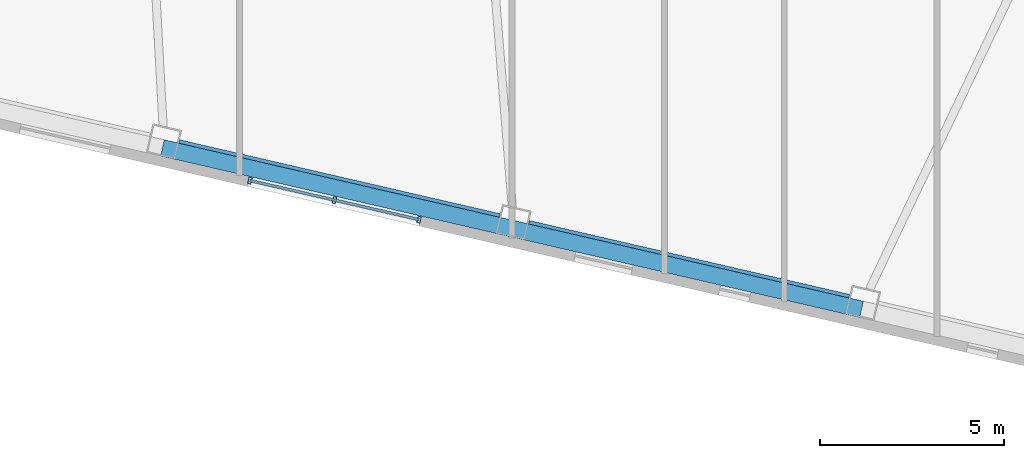
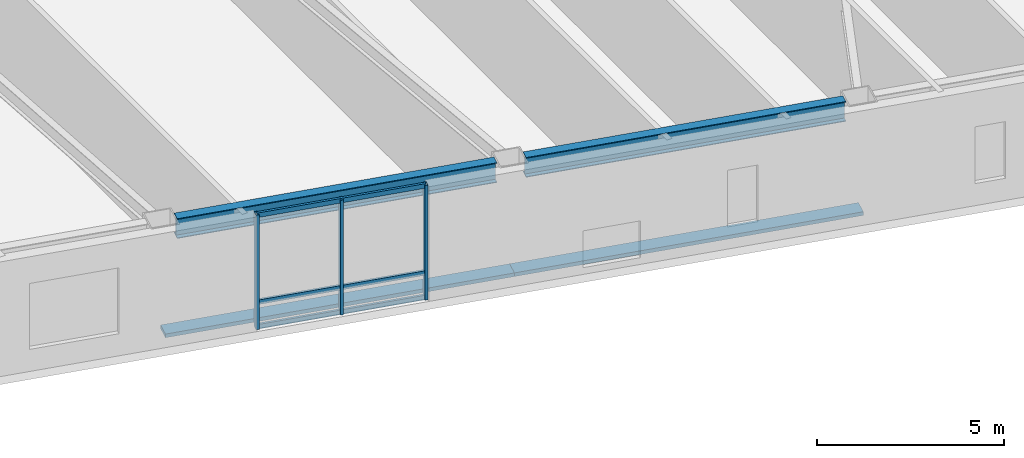
# One storey, part 6 of 21: 8 members, 2 beams, 1 element without a shape of its own.
"""IFC4 building model written with IfcOpenShell, lengths in metres."""

import ifcopenshell
import ifcopenshell.guid

model = None  # the IFC model being written
_history = None  # IfcOwnerHistory: only IFC2X3 demands one
_inside = {}  # id of a spatial element -> (the spatial element, [elements in it])
_under = {}  # id of a project, library or spatial element -> (it, [spatial elements below it])
_declared = {}  # id of a project -> (the project, [libraries it declares])
_typed = {}  # id of a type object -> (the type object, [elements of that type])
_made_of = {}  # id of a material, layer set ... -> (it, [elements and type objects made of it])


def new_model(schema):
    """Start an empty IFC model of exactly this schema.

    Asked for "IFC4X3", IfcOpenShell would pick the latest addendum, in which some entities
    have other attributes; the version numbers below select the first issue.
    IFC2X3 requires an IfcOwnerHistory on every rooted entity: one is made here for all.
    """
    global model, _history
    if schema == "IFC4X3":
        model = ifcopenshell.file(schema_version=(4, 3, 0, 0))
    else:
        model = ifcopenshell.file(schema=schema)
    _inside.clear()
    _under.clear()
    _declared.clear()
    _typed.clear()
    _made_of.clear()
    _history = None
    if model.schema == "IFC2X3":
        org = make("IfcOrganization", Name="unknown")
        user = make(
            "IfcPersonAndOrganization",
            ThePerson=make("IfcPerson", FamilyName="unknown"),
            TheOrganization=org,
        )
        app = make(
            "IfcApplication",
            ApplicationDeveloper=org,
            Version="unknown",
            ApplicationFullName="unknown",
            ApplicationIdentifier="unknown",
        )
        _history = make(
            "IfcOwnerHistory",
            OwningUser=user,
            OwningApplication=app,
            ChangeAction="ADDED",
            CreationDate=0,
        )
    return model


def make(cls, **values):
    """One entity of the class cls with the attributes given. An attribute that is None is left unset."""
    return model.create_entity(
        cls, **{name: value for name, value in values.items() if value is not None}
    )


def rooted(cls, **values):
    """An entity with a GlobalId (a new one), such as an element, a storey or a relation."""
    return make(cls, GlobalId=ifcopenshell.guid.new(), OwnerHistory=_history, **values)


def si_unit(unit_type, name, prefix=None):
    """IfcSIUnit, for example si_unit("LENGTHUNIT", "METRE", prefix="MILLI")."""
    return make("IfcSIUnit", UnitType=unit_type, Prefix=prefix, Name=name)


def assignment(units):
    """IfcUnitAssignment: the units of a project."""
    return None if units is None else make("IfcUnitAssignment", Units=units)


def point(xyz):
    """IfcCartesianPoint."""
    return None if xyz is None else make("IfcCartesianPoint", Coordinates=xyz)


def direction(xyz):
    """IfcDirection."""
    return None if xyz is None else make("IfcDirection", DirectionRatios=xyz)


def frame(location, z_axis=None, x_axis=None):
    """IfcAxis2Placement3D, a coordinate frame: its origin and axes. An axis left out is left unset."""
    return make(
        "IfcAxis2Placement3D",
        Location=point(location),
        Axis=direction(z_axis),
        RefDirection=direction(x_axis),
    )


def frame_2d(location, x_axis=None):
    """IfcAxis2Placement2D, a coordinate frame in the plane: its origin and x axis."""
    return make(
        "IfcAxis2Placement2D", Location=point(location), RefDirection=direction(x_axis)
    )


def origin():
    """The frame at (0, 0, 0) with its axes left unset."""
    return frame((0.0, 0.0, 0.0))


def origin_2d():
    """The frame at (0, 0) in the plane with its x axis left unset."""
    return frame_2d((0.0, 0.0))


def place(relative_to, where):
    """IfcLocalPlacement: puts the frame where relative to a parent placement (None: the world)."""
    return make(
        "IfcLocalPlacement", PlacementRelTo=relative_to, RelativePlacement=where
    )


def context(
    kind, dimensions, precision=None, world=None, true_north=None, identifier=None
):
    """IfcGeometricRepresentationContext, for example the 3D "Model" context."""
    return make(
        "IfcGeometricRepresentationContext",
        ContextIdentifier=identifier,
        ContextType=kind,
        CoordinateSpaceDimension=dimensions,
        Precision=precision,
        WorldCoordinateSystem=world,
        TrueNorth=true_north,
    )


def subcontext(parent, identifier, kind, view, scale=None):
    """IfcGeometricRepresentationSubContext, for example "Body" below "Model"."""
    return make(
        "IfcGeometricRepresentationSubContext",
        ContextIdentifier=identifier,
        ContextType=kind,
        ParentContext=parent,
        TargetScale=scale,
        TargetView=view,
    )


def project(units=None, contexts=None):
    """IfcProject with its units and contexts."""
    return rooted(
        "IfcProject",
        Name="project",
        RepresentationContexts=contexts,
        UnitsInContext=assignment(units),
    )


def spatial(cls, under=None, at=None, **own):
    """A site, building, storey or space (cls), placed at a placement, below another one or the project."""
    s = rooted(cls, ObjectPlacement=at, **own)
    if under is not None:
        _under.setdefault(under.id(), (under, []))[1].append(s)
    return s


def profile(cls, at=None, kind="AREA", **sizes):
    """A parametric profile (cls). Its sizes go by their IFC names, for example OverallWidth=200.0."""
    return make(cls, ProfileType=kind, Position=at, **sizes)


def rectangle(**sizes):
    """IfcRectangleProfileDef."""
    return profile("IfcRectangleProfileDef", **sizes)


def hollow_rectangle(**sizes):
    """IfcRectangleHollowProfileDef."""
    return profile("IfcRectangleHollowProfileDef", **sizes)


def i_section(**sizes):
    """IfcIShapeProfileDef."""
    return profile("IfcIShapeProfileDef", **sizes)


def extrude(swept, where, along, depth):
    """IfcExtrudedAreaSolid: the profile swept, set in the frame where, extruded along a direction by depth."""
    return make(
        "IfcExtrudedAreaSolid",
        SweptArea=swept,
        Position=where,
        ExtrudedDirection=direction(along),
        Depth=depth,
    )


def shape(context_of_items, identifier, shape_type, items):
    """IfcShapeRepresentation: the items that make up one representation, for example the "Body"."""
    return make(
        "IfcShapeRepresentation",
        ContextOfItems=context_of_items,
        RepresentationIdentifier=identifier,
        RepresentationType=shape_type,
        Items=items,
    )


def material(Name=None, Category=None):
    """IfcMaterial."""
    return make("IfcMaterial", Name=Name, Category=Category)


def layer(
    of_material, thickness, ventilated=None, Name=None, Category=None, Priority=None
):
    """IfcMaterialLayer: one layer of a wall or slab, of a material (None: an air gap)."""
    return make(
        "IfcMaterialLayer",
        Material=of_material,
        LayerThickness=thickness,
        IsVentilated=ventilated,
        Name=Name,
        Category=Category,
        Priority=Priority,
    )


def layer_set(layers, Name=None):
    """IfcMaterialLayerSet."""
    return make("IfcMaterialLayerSet", MaterialLayers=layers, LayerSetName=Name)


def material_profile(
    of_material, cross_section, Name=None, Category=None, Priority=None
):
    """IfcMaterialProfile: a cross section and its material."""
    return make(
        "IfcMaterialProfile",
        Name=Name,
        Material=of_material,
        Profile=cross_section,
        Priority=Priority,
        Category=Category,
    )


def profile_set(profiles, Name=None, composite=None):
    """IfcMaterialProfileSet."""
    return make(
        "IfcMaterialProfileSet",
        Name=Name,
        MaterialProfiles=profiles,
        CompositeProfile=composite,
    )


def made_of(thing, what):
    """Note that an element or type object is made of a material, layer set ...; save() writes the relation."""
    if what is not None:
        _made_of.setdefault(what.id(), (what, []))[1].append(thing)
    return thing


def type_object(cls, material=None, **own):
    """A type object (cls), such as IfcWallType, which elements share."""
    return made_of(rooted(cls, **own), material)


def element(
    cls,
    number,
    at=None,
    inside=None,
    cuts=None,
    type_object=None,
    material=None,
    context=None,
    identifier="Body",
    shape_type=None,
    held_by="IfcProductDefinitionShape",
    body=None,
    shapes=None,
    **own,
):
    """One element of the class cls, such as IfcWall. Its Tag is "e" and its number.

    at: its placement. inside: the storey or other place that contains it. cuts: it is an
    opening in that element (IfcRelVoidsElement). A single representation is given by context,
    identifier, shape_type and body (its items); several are given by shapes. held_by: the class
    of the entity that holds the representations. save() writes the other relations.
    """
    e = rooted(cls, Tag="e%d" % number, ObjectPlacement=at, **own)
    if body is not None:
        shapes = [shape(context, identifier, shape_type, body)]
    if shapes is not None:
        e.Representation = make(held_by, Representations=shapes)
    if inside is not None:
        _inside.setdefault(inside.id(), (inside, []))[1].append(e)
    if cuts is not None:
        rooted(
            "IfcRelVoidsElement", RelatingBuildingElement=cuts, RelatedOpeningElement=e
        )
    if type_object is not None:
        _typed.setdefault(type_object.id(), (type_object, []))[1].append(e)
    return made_of(e, material)


def aggregate(whole, parts):
    """IfcRelAggregates: a whole, such as a stair, and the parts it consists of."""
    return rooted("IfcRelAggregates", RelatingObject=whole, RelatedObjects=parts)


def save(model, path):
    """Write the relations noted so far, then the file.

    IfcRelAggregates (storeys below a building ...), IfcRelContainedInSpatialStructure (elements
    in a storey), IfcRelDefinesByType, IfcRelAssociatesMaterial and IfcRelDeclares: one each for
    every whole, place, type object, material and project.
    """
    for whole, parts in _under.values():
        aggregate(whole, parts)
    for where, things in _inside.values():
        rooted(
            "IfcRelContainedInSpatialStructure",
            RelatedElements=things,
            RelatingStructure=where,
        )
    for kind, things in _typed.values():
        rooted("IfcRelDefinesByType", RelatedObjects=things, RelatingType=kind)
    for what, things in _made_of.values():
        rooted("IfcRelAssociatesMaterial", RelatedObjects=things, RelatingMaterial=what)
    for by, libraries in _declared.values():
        rooted("IfcRelDeclares", RelatingContext=by, RelatedDefinitions=libraries)
    model.write(path)


model = new_model("IFC4")

# Units and contexts
model_context = context("Model", 3, precision=1e-05, world=origin(), true_north=direction((0.0, 1.0)))
body_context = subcontext(model_context, "Body", "Model", "MODEL_VIEW")
ifc_project = project(units=[si_unit("LENGTHUNIT", "METRE"), si_unit("AREAUNIT", "SQUARE_METRE"), si_unit("VOLUMEUNIT", "CUBIC_METRE"), si_unit("PLANEANGLEUNIT", "RADIAN"), si_unit("MASSUNIT", "GRAM", prefix="KILO")], contexts=[model_context])

# Site, building, storey
site_placement = place(None, origin())
site = spatial("IfcSite", under=ifc_project, at=site_placement, CompositionType="ELEMENT")
building_placement = place(site_placement, origin())
building = spatial("IfcBuilding", under=site, at=building_placement, Name="Tavrogorsk Clinical Tower", CompositionType="ELEMENT")
storey_placement = place(building_placement, frame((0.0, 0.0, 71.39990234375)))
storey = spatial("IfcBuildingStorey", under=building, at=storey_placement, Name="L15", CompositionType="ELEMENT", Elevation=71.39990234375)

# Members
ifc_material_1 = material(Name="Anodised aluminium alloy AW-6063", Category="aluminium")
ifc_material_profile_1 = material_profile(ifc_material_1, rectangle(XDim=0.449951171875, YDim=0.1201171875, at=origin_2d()), Name="ALU-SUNSHADE-450x120")
ifc_profile_set_1 = profile_set([ifc_material_profile_1], Name="Anodised aluminium alloy AW-6063")
member_type_1 = type_object("IfcMemberType", Name="ChicagoSunshade_450x120", PredefinedType="USERDEFINED", material=ifc_profile_set_1)
member_1_placement = place(storey_placement, frame((-3.296875, -27.353271484375, 0.18017578125), z_axis=(0.97437219846, -0.224941812182, 0.0), x_axis=(0.224941812182, 0.97437219846, 0.0)))
element("IfcMember", 1, at=member_1_placement, inside=storey, type_object=member_type_1, Name="L15 South Aluminium Sunshade S5", ObjectType="SUNSHADE", PredefinedType="USERDEFINED", context=body_context, shape_type="SweptSolid", body=[
    extrude(rectangle(XDim=0.449951171875, YDim=0.1201171875, at=origin_2d()), origin(), (0.0, 0.0, 1.0), 9.74853515625),
])
member_2_placement = place(storey_placement, frame((6.201904296875, -29.546142578125, 0.18017578125), z_axis=(0.974370931236, -0.2249473013, 0.0), x_axis=(0.2249473013, 0.974370931236, 0.0)))
element("IfcMember", 2, at=member_2_placement, inside=storey, type_object=member_type_1, Name="L15 South Aluminium Sunshade S6", ObjectType="SUNSHADE", PredefinedType="USERDEFINED", context=body_context, shape_type="SweptSolid", body=[
    extrude(rectangle(XDim=0.449951171875, YDim=0.1201171875, at=origin_2d()), origin(), (0.0, 0.0, 1.0), 9.748291015625),
])

# Curtain wall, members
ifc_material_2 = material(Name="Anodised aluminium and triple IGU glazing", Category="aluminium")
ifc_layer = layer(ifc_material_2, 0.179931640625)
ifc_layer_set = layer_set([ifc_layer], Name="Anodised aluminium and triple IGU glazing")
curtain_wall_type = type_object("IfcCurtainWallType", Name="CW3_SouthSlot", PredefinedType="NOTDEFINED", material=ifc_layer_set)
curtain_wall_placement = place(storey_placement, origin())
curtain_wall = element("IfcCurtainWall", 3, at=curtain_wall_placement, inside=storey, type_object=curtain_wall_type, Name="L15 Curtain Wall CW-L15-S-SLOT-2", PredefinedType="NOTDEFINED")
ifc_material_3 = material(Name="Anodised aluminium alloy AW-6060", Category="aluminium")
ifc_material_profile_2 = material_profile(ifc_material_3, hollow_rectangle(XDim=0.090087890625, YDim=0.179931640625, WallThickness=0.00634765625, at=origin_2d()), Name="RHS-180x90x6.3")
ifc_profile_set_2 = profile_set([ifc_material_profile_2], Name="Anodised aluminium alloy AW-6060")
member_type_2 = type_object("IfcMemberType", Name="CwMullion_180x90", PredefinedType="MULLION", material=ifc_profile_set_2)
member_3_placement = place(storey_placement, frame((-0.92041015625, -28.240478515625, 0.0), z_axis=(0.0, 0.0, 1.0), x_axis=(0.974370102963, -0.224950888978, 0.0)))
member_3 = element("IfcMember", 4, at=member_3_placement, type_object=member_type_2, Name="CW-L15-S-SLOT-2 Mullion 1", PredefinedType="MULLION", context=body_context, shape_type="SweptSolid", body=[
    extrude(hollow_rectangle(XDim=0.090087890625, YDim=0.179931640625, WallThickness=0.00634765625, at=origin_2d()), origin(), (0.0, 0.0, 1.0), 3.739990234375),
])
member_4_placement = place(storey_placement, frame((1.378173828125, -28.771240234375, 0.0), z_axis=(0.0, 0.0, 1.0), x_axis=(0.974370102963, -0.224950888978, 0.0)))
member_4 = element("IfcMember", 5, at=member_4_placement, type_object=member_type_2, Name="CW-L15-S-SLOT-2 Mullion 2", PredefinedType="MULLION", context=body_context, shape_type="SweptSolid", body=[
    extrude(hollow_rectangle(XDim=0.090087890625, YDim=0.179931640625, WallThickness=0.00634765625, at=origin_2d()), origin(), (0.0, 0.0, 1.0), 3.739990234375),
])
member_5_placement = place(storey_placement, frame((3.6767578125, -29.3017578125, 0.0), z_axis=(0.0, 0.0, 1.0), x_axis=(0.974370102963, -0.224950888978, 0.0)))
member_5 = element("IfcMember", 6, at=member_5_placement, type_object=member_type_2, Name="CW-L15-S-SLOT-2 Mullion 3", PredefinedType="MULLION", context=body_context, shape_type="SweptSolid", body=[
    extrude(hollow_rectangle(XDim=0.090087890625, YDim=0.179931640625, WallThickness=0.00634765625, at=origin_2d()), origin(), (0.0, 0.0, 1.0), 3.739990234375),
])
ifc_material_4 = material(Name="Anodised aluminium alloy AW-6060", Category="aluminium")
ifc_material_profile_3 = material_profile(ifc_material_4, hollow_rectangle(XDim=0.074951171875, YDim=0.14990234375, WallThickness=0.0048828125, at=origin_2d()), Name="RHS-150x75x5")
ifc_profile_set_3 = profile_set([ifc_material_profile_3], Name="Anodised aluminium alloy AW-6060")
member_type_3 = type_object("IfcMemberType", Name="CwTransom_150x75", PredefinedType="USERDEFINED", material=ifc_profile_set_3)
member_6_placement = place(storey_placement, frame((-0.92041015625, -28.240478515625, 0.050048828125), z_axis=(0.974372877948, -0.22493886885, 0.0), x_axis=(0.22493886885, 0.974372877948, 0.0)))
member_6 = element("IfcMember", 7, at=member_6_placement, type_object=member_type_3, Name="CW-L15-S-SLOT-2 Transom 1", ObjectType="TRANSOM", PredefinedType="USERDEFINED", context=body_context, shape_type="SweptSolid", body=[
    extrude(hollow_rectangle(XDim=0.074951171875, YDim=0.14990234375, WallThickness=0.0048828125, at=origin_2d()), origin(), (0.0, 0.0, 1.0), 4.718017578125),
])
member_7_placement = place(storey_placement, frame((-0.92041015625, -28.240478515625, 0.85009765625), z_axis=(0.974372877948, -0.22493886885, 0.0), x_axis=(0.22493886885, 0.974372877948, 0.0)))
member_7 = element("IfcMember", 8, at=member_7_placement, type_object=member_type_3, Name="CW-L15-S-SLOT-2 Transom 2", ObjectType="TRANSOM", PredefinedType="USERDEFINED", context=body_context, shape_type="SweptSolid", body=[
    extrude(hollow_rectangle(XDim=0.074951171875, YDim=0.14990234375, WallThickness=0.0048828125, at=origin_2d()), origin(), (0.0, 0.0, 1.0), 4.718017578125),
])
member_8_placement = place(storey_placement, frame((-0.92041015625, -28.240478515625, 3.690185546875), z_axis=(0.974372877948, -0.22493886885, 0.0), x_axis=(0.22493886885, 0.974372877948, 0.0)))
member_8 = element("IfcMember", 9, at=member_8_placement, type_object=member_type_3, Name="CW-L15-S-SLOT-2 Transom 3", ObjectType="TRANSOM", PredefinedType="USERDEFINED", context=body_context, shape_type="SweptSolid", body=[
    extrude(hollow_rectangle(XDim=0.074951171875, YDim=0.14990234375, WallThickness=0.0048828125, at=origin_2d()), origin(), (0.0, 0.0, 1.0), 4.718017578125),
])
aggregate(curtain_wall, [member_3, member_4, member_5, member_6, member_7, member_8])

# Beams
ifc_material_5 = material(Name="Structural steel S390", Category="steel")
ifc_material_profile_4 = material_profile(ifc_material_5, i_section(OverallWidth=0.280029296875, OverallDepth=0.64990234375, WebThickness=0.01611328125, FlangeThickness=0.02490234375, at=origin_2d()), Name="B-650x280x16x25")
ifc_profile_set_4 = profile_set([ifc_material_profile_4], Name="Structural steel S390")
beam_type = type_object("IfcBeamType", Name="SpandrelBeam_B650", PredefinedType="SPANDREL", material=ifc_profile_set_4)
for number, where, z_axis, x_axis, name in (
    (10, (-2.85888671875, -27.26953125, 3.4150390625), (0.974372766602, -0.224939351168, 0.0), (0.224939351168, 0.974372766602, 0.0), "L15 Perimeter Spandrel S5-S6"),
    (11, (6.639892578125, -29.46240234375, 3.4150390625), (0.974366775889, -0.224965299645, 0.0), (0.224965299645, 0.974366775889, 0.0), "L15 Perimeter Spandrel S6-S7"),
):
    element("IfcBeam", number, at=place(storey_placement, frame(where, z_axis=z_axis, x_axis=x_axis)), inside=storey, type_object=beam_type, Name=name, PredefinedType="SPANDREL", context=body_context, shape_type="SweptSolid", body=[
        extrude(i_section(OverallWidth=0.280029296875, OverallDepth=0.64990234375, WebThickness=0.01611328125, FlangeThickness=0.02490234375, at=origin_2d()), origin(), (0.0, 0.0, 1.0), 8.9326171875),
    ])

save(model, "model.ifc")
